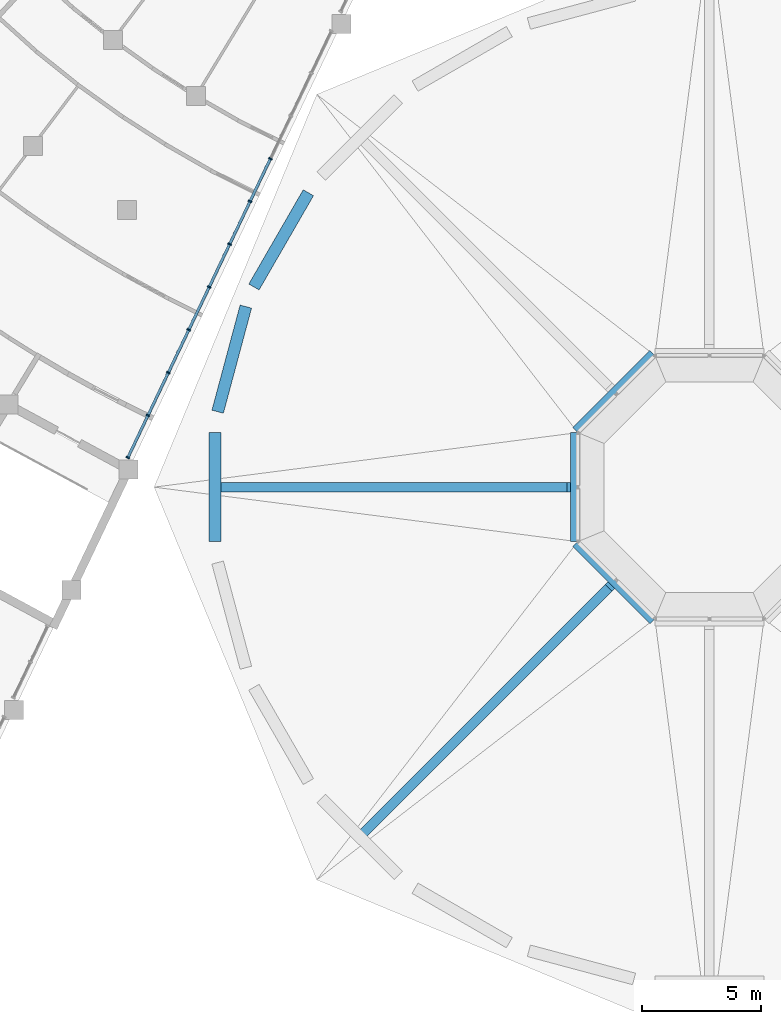
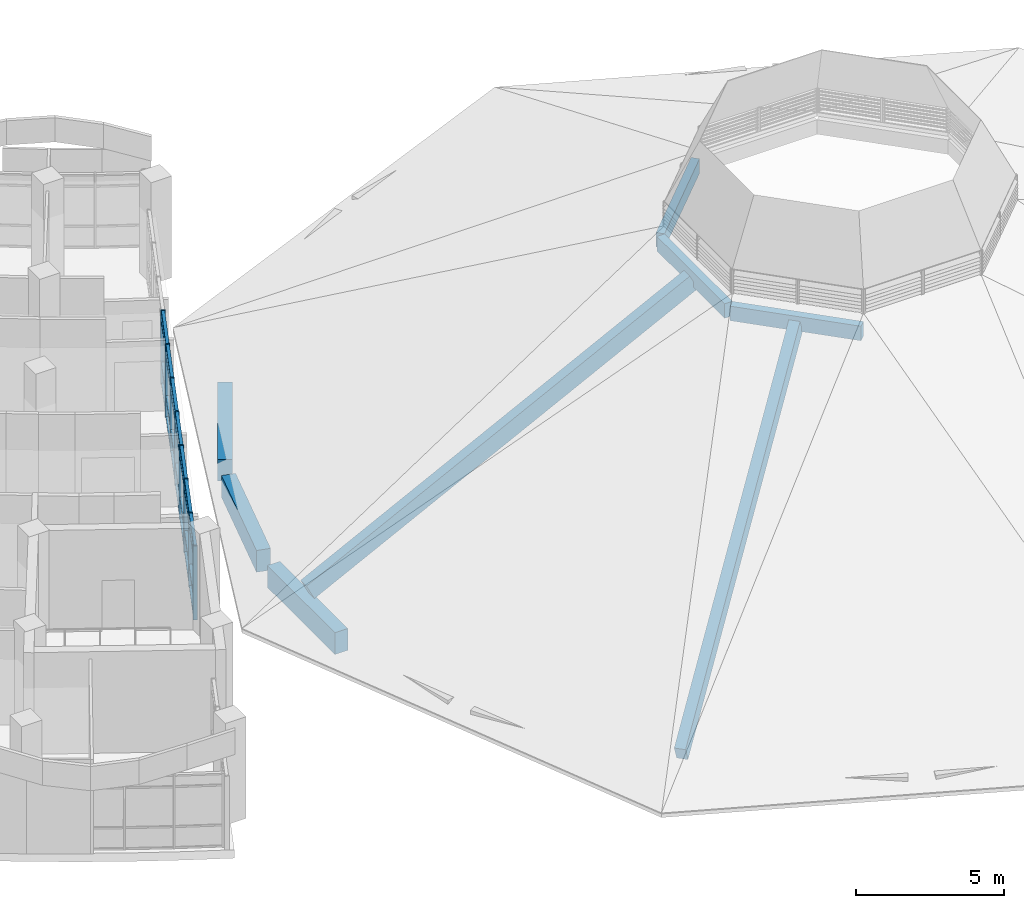
# One storey, part 5 of 137: 41 members, 3 beams, 1 element without a shape of its own.
"""IFC4 building model written with IfcOpenShell, lengths in metres."""

from ifc_helpers import new_model, si_unit, direction, frame, origin, origin_2d, place, context, subcontext, project, spatial, rectangle, extrude, material, material_profile, profile_set, type_object, element, aggregate, save


model = new_model("IFC4")

# Units and contexts
model_context = context("Model", 3, precision=1e-05, world=origin(), true_north=direction((0.0, 1.0)))
body_context = subcontext(model_context, "Body", "Model", "MODEL_VIEW")
ifc_project = project(units=[si_unit("LENGTHUNIT", "METRE"), si_unit("AREAUNIT", "SQUARE_METRE"), si_unit("VOLUMEUNIT", "CUBIC_METRE"), si_unit("PLANEANGLEUNIT", "RADIAN"), si_unit("MASSUNIT", "GRAM", prefix="KILO")], contexts=[model_context])

# Site, building, storey
site_placement = place(None, origin())
site = spatial("IfcSite", under=ifc_project, at=site_placement, CompositionType="ELEMENT")
building_placement = place(site_placement, origin())
building = spatial("IfcBuilding", under=site, at=building_placement, Name="Bougainvillea Quay General Hospital", CompositionType="ELEMENT")
storey_placement = place(building_placement, frame((0.0, 0.0, 16.800048828125)))
storey = spatial("IfcBuildingStorey", under=building, at=storey_placement, Name="L03", CompositionType="ELEMENT", Elevation=16.800048828125)

# Curtain wall, members
ifc_material_1 = material(Name="Aluminium curtain wall system, powder-coated glazed", Category="aluminium")
curtain_wall_type = type_object("IfcCurtainWallType", Name="Unitised curtain wall CW-1997", PredefinedType="NOTDEFINED", material=ifc_material_1)
curtain_wall_placement = place(storey_placement, origin())
curtain_wall = element("IfcCurtainWall", 1, at=curtain_wall_placement, inside=storey, type_object=curtain_wall_type, Name="CW-AE 02", PredefinedType="NOTDEFINED")
ifc_material_2 = material(Name="Aluminium mullion, powder-coated charcoal", Category="aluminium")
ifc_material_profile_1 = material_profile(ifc_material_2, rectangle(XDim=0.159912109375, YDim=0.06005859375, at=origin_2d()))
ifc_profile_set_1 = profile_set([ifc_material_profile_1], Name="Aluminium mullion, powder-coated charcoal")
member_type_1 = type_object("IfcMemberType", Name="Curtain wall mullion 160x60", PredefinedType="MULLION", material=ifc_profile_set_1)
member_1_placement = place(storey_placement, frame((84.715087890625, 75.246826171875, 0.0), z_axis=(0.0, 0.0, 1.0), x_axis=(-0.902578440897, 0.430525444112, 0.0)))
member_1 = element("IfcMember", 2, at=member_1_placement, type_object=member_type_1, Name="CW-AE mullion 1", PredefinedType="MULLION", context=body_context, shape_type="SweptSolid", body=[
    extrude(rectangle(XDim=0.159912109375, YDim=0.06005859375, at=origin_2d()), origin(), (0.0, 0.0, 1.0), 3.050048828125),
])
member_2_placement = place(storey_placement, frame((85.5615234375, 77.021240234375, 0.0), z_axis=(0.0, 0.0, 1.0), x_axis=(-0.902578440897, 0.430525444112, 0.0)))
member_2 = element("IfcMember", 3, at=member_2_placement, type_object=member_type_1, Name="CW-AE mullion 2", PredefinedType="MULLION", context=body_context, shape_type="SweptSolid", body=[
    extrude(rectangle(XDim=0.159912109375, YDim=0.06005859375, at=origin_2d()), origin(), (0.0, 0.0, 1.0), 3.050048828125),
])
member_3_placement = place(storey_placement, frame((86.4208984375, 78.822998046875, 0.0), z_axis=(0.0, 0.0, 1.0), x_axis=(-0.902578440897, 0.430525444112, 0.0)))
member_3 = element("IfcMember", 4, at=member_3_placement, type_object=member_type_1, Name="CW-AE mullion 3", PredefinedType="MULLION", context=body_context, shape_type="SweptSolid", body=[
    extrude(rectangle(XDim=0.159912109375, YDim=0.06005859375, at=origin_2d()), origin(), (0.0, 0.0, 1.0), 3.050048828125),
])
member_4_placement = place(storey_placement, frame((87.280029296875, 80.62451171875, 0.0), z_axis=(0.0, 0.0, 1.0), x_axis=(-0.902578440897, 0.430525444112, 0.0)))
member_4 = element("IfcMember", 5, at=member_4_placement, type_object=member_type_1, Name="CW-AE mullion 4", PredefinedType="MULLION", context=body_context, shape_type="SweptSolid", body=[
    extrude(rectangle(XDim=0.159912109375, YDim=0.06005859375, at=origin_2d()), origin(), (0.0, 0.0, 1.0), 3.050048828125),
])
member_5_placement = place(storey_placement, frame((88.139404296875, 82.426025390625, 0.0), z_axis=(0.0, 0.0, 1.0), x_axis=(-0.902578440897, 0.430525444112, 0.0)))
member_5 = element("IfcMember", 6, at=member_5_placement, type_object=member_type_1, Name="CW-AE mullion 5", PredefinedType="MULLION", context=body_context, shape_type="SweptSolid", body=[
    extrude(rectangle(XDim=0.159912109375, YDim=0.06005859375, at=origin_2d()), origin(), (0.0, 0.0, 1.0), 3.050048828125),
])
member_6_placement = place(storey_placement, frame((88.998779296875, 84.2275390625, 0.0), z_axis=(0.0, 0.0, 1.0), x_axis=(-0.902578440897, 0.430525444112, 0.0)))
member_6 = element("IfcMember", 7, at=member_6_placement, type_object=member_type_1, Name="CW-AE mullion 6", PredefinedType="MULLION", context=body_context, shape_type="SweptSolid", body=[
    extrude(rectangle(XDim=0.159912109375, YDim=0.06005859375, at=origin_2d()), origin(), (0.0, 0.0, 1.0), 3.050048828125),
])
member_7_placement = place(storey_placement, frame((89.858154296875, 86.029296875, 0.0), z_axis=(0.0, 0.0, 1.0), x_axis=(-0.902578440897, 0.430525444112, 0.0)))
member_7 = element("IfcMember", 8, at=member_7_placement, type_object=member_type_1, Name="CW-AE mullion 7", PredefinedType="MULLION", context=body_context, shape_type="SweptSolid", body=[
    extrude(rectangle(XDim=0.159912109375, YDim=0.06005859375, at=origin_2d()), origin(), (0.0, 0.0, 1.0), 3.050048828125),
])
member_8_placement = place(storey_placement, frame((90.717529296875, 87.830810546875, 0.0), z_axis=(0.0, 0.0, 1.0), x_axis=(-0.902578440897, 0.430525444112, 0.0)))
member_8 = element("IfcMember", 9, at=member_8_placement, type_object=member_type_1, Name="CW-AE mullion 8", PredefinedType="MULLION", context=body_context, shape_type="SweptSolid", body=[
    extrude(rectangle(XDim=0.159912109375, YDim=0.06005859375, at=origin_2d()), origin(), (0.0, 0.0, 1.0), 3.050048828125),
])
ifc_material_3 = material(Name="Aluminium transom, powder-coated charcoal", Category="aluminium")
ifc_material_profile_2 = material_profile(ifc_material_3, rectangle(XDim=0.1201171875, YDim=0.06005859375, at=origin_2d()))
ifc_profile_set_2 = profile_set([ifc_material_profile_2], Name="Aluminium transom, powder-coated charcoal")
member_type_2 = type_object("IfcMemberType", Name="Curtain wall transom 120x60", PredefinedType="USERDEFINED", material=ifc_profile_set_2)
member_9_placement = place(storey_placement, frame((84.72802734375, 75.27392578125, 0.030029296875), z_axis=(0.430535139878, 0.902573816001, 0.0), x_axis=(-0.902573816001, 0.430535139878, 0.0)))
member_9 = element("IfcMember", 10, at=member_9_placement, type_object=member_type_2, Name="CW-AE transom 1.1", ObjectType="TRANSOM", PredefinedType="USERDEFINED", context=body_context, shape_type="SweptSolid", body=[
    extrude(rectangle(XDim=0.1201171875, YDim=0.06005859375, at=origin_2d()), origin(), (0.0, 0.0, 1.0), 1.906005859375),
])
member_10_placement = place(storey_placement, frame((84.72802734375, 75.27392578125, 0.89990234375), z_axis=(0.430535139878, 0.902573816001, 0.0), x_axis=(-0.902573816001, 0.430535139878, 0.0)))
member_10 = element("IfcMember", 11, at=member_10_placement, type_object=member_type_2, Name="CW-AE transom 1.2", ObjectType="TRANSOM", PredefinedType="USERDEFINED", context=body_context, shape_type="SweptSolid", body=[
    extrude(rectangle(XDim=0.1201171875, YDim=0.06005859375, at=origin_2d()), origin(), (0.0, 0.0, 1.0), 1.906005859375),
])
member_11_placement = place(storey_placement, frame((84.72802734375, 75.27392578125, 2.550048828125), z_axis=(0.430535139878, 0.902573816001, 0.0), x_axis=(-0.902573816001, 0.430535139878, 0.0)))
member_11 = element("IfcMember", 12, at=member_11_placement, type_object=member_type_2, Name="CW-AE transom 1.3", ObjectType="TRANSOM", PredefinedType="USERDEFINED", context=body_context, shape_type="SweptSolid", body=[
    extrude(rectangle(XDim=0.1201171875, YDim=0.06005859375, at=origin_2d()), origin(), (0.0, 0.0, 1.0), 1.906005859375),
])
member_12_placement = place(storey_placement, frame((84.72802734375, 75.27392578125, 3.02001953125), z_axis=(0.430535139878, 0.902573816001, 0.0), x_axis=(-0.902573816001, 0.430535139878, 0.0)))
member_12 = element("IfcMember", 13, at=member_12_placement, type_object=member_type_2, Name="CW-AE transom 1.4", ObjectType="TRANSOM", PredefinedType="USERDEFINED", context=body_context, shape_type="SweptSolid", body=[
    extrude(rectangle(XDim=0.1201171875, YDim=0.06005859375, at=origin_2d()), origin(), (0.0, 0.0, 1.0), 1.906005859375),
])
member_13_placement = place(storey_placement, frame((85.574462890625, 77.04833984375, 0.030029296875), z_axis=(0.430491490236, 0.902594635944, 0.0), x_axis=(-0.902594635944, 0.430491490236, 0.0)))
member_13 = element("IfcMember", 14, at=member_13_placement, type_object=member_type_2, Name="CW-AE transom 2.1", ObjectType="TRANSOM", PredefinedType="USERDEFINED", context=body_context, shape_type="SweptSolid", body=[
    extrude(rectangle(XDim=0.1201171875, YDim=0.06005859375, at=origin_2d()), origin(), (0.0, 0.0, 1.0), 1.93603515625),
])
member_14_placement = place(storey_placement, frame((85.574462890625, 77.04833984375, 0.89990234375), z_axis=(0.430491490236, 0.902594635944, 0.0), x_axis=(-0.902594635944, 0.430491490236, 0.0)))
member_14 = element("IfcMember", 15, at=member_14_placement, type_object=member_type_2, Name="CW-AE transom 2.2", ObjectType="TRANSOM", PredefinedType="USERDEFINED", context=body_context, shape_type="SweptSolid", body=[
    extrude(rectangle(XDim=0.1201171875, YDim=0.06005859375, at=origin_2d()), origin(), (0.0, 0.0, 1.0), 1.93603515625),
])
member_15_placement = place(storey_placement, frame((85.574462890625, 77.04833984375, 2.550048828125), z_axis=(0.430491490236, 0.902594635944, 0.0), x_axis=(-0.902594635944, 0.430491490236, 0.0)))
member_15 = element("IfcMember", 16, at=member_15_placement, type_object=member_type_2, Name="CW-AE transom 2.3", ObjectType="TRANSOM", PredefinedType="USERDEFINED", context=body_context, shape_type="SweptSolid", body=[
    extrude(rectangle(XDim=0.1201171875, YDim=0.06005859375, at=origin_2d()), origin(), (0.0, 0.0, 1.0), 1.93603515625),
])
member_16_placement = place(storey_placement, frame((85.574462890625, 77.04833984375, 3.02001953125), z_axis=(0.430491490236, 0.902594635944, 0.0), x_axis=(-0.902594635944, 0.430491490236, 0.0)))
member_16 = element("IfcMember", 17, at=member_16_placement, type_object=member_type_2, Name="CW-AE transom 2.4", ObjectType="TRANSOM", PredefinedType="USERDEFINED", context=body_context, shape_type="SweptSolid", body=[
    extrude(rectangle(XDim=0.1201171875, YDim=0.06005859375, at=origin_2d()), origin(), (0.0, 0.0, 1.0), 1.93603515625),
])
member_17_placement = place(storey_placement, frame((86.43359375, 78.85009765625, 0.030029296875), z_axis=(0.43064321639, 0.902522254671, 0.0), x_axis=(-0.902522254671, 0.43064321639, 0.0)))
member_17 = element("IfcMember", 18, at=member_17_placement, type_object=member_type_2, Name="CW-AE transom 3.1", ObjectType="TRANSOM", PredefinedType="USERDEFINED", context=body_context, shape_type="SweptSolid", body=[
    extrude(rectangle(XDim=0.1201171875, YDim=0.06005859375, at=origin_2d()), origin(), (0.0, 0.0, 1.0), 1.93603515625),
])
member_18_placement = place(storey_placement, frame((86.43359375, 78.85009765625, 0.89990234375), z_axis=(0.43064321639, 0.902522254671, 0.0), x_axis=(-0.902522254671, 0.43064321639, 0.0)))
member_18 = element("IfcMember", 19, at=member_18_placement, type_object=member_type_2, Name="CW-AE transom 3.2", ObjectType="TRANSOM", PredefinedType="USERDEFINED", context=body_context, shape_type="SweptSolid", body=[
    extrude(rectangle(XDim=0.1201171875, YDim=0.06005859375, at=origin_2d()), origin(), (0.0, 0.0, 1.0), 1.93603515625),
])
member_19_placement = place(storey_placement, frame((86.43359375, 78.85009765625, 2.550048828125), z_axis=(0.43064321639, 0.902522254671, 0.0), x_axis=(-0.902522254671, 0.43064321639, 0.0)))
member_19 = element("IfcMember", 20, at=member_19_placement, type_object=member_type_2, Name="CW-AE transom 3.3", ObjectType="TRANSOM", PredefinedType="USERDEFINED", context=body_context, shape_type="SweptSolid", body=[
    extrude(rectangle(XDim=0.1201171875, YDim=0.06005859375, at=origin_2d()), origin(), (0.0, 0.0, 1.0), 1.93603515625),
])
member_20_placement = place(storey_placement, frame((86.43359375, 78.85009765625, 3.02001953125), z_axis=(0.43064321639, 0.902522254671, 0.0), x_axis=(-0.902522254671, 0.43064321639, 0.0)))
member_20 = element("IfcMember", 21, at=member_20_placement, type_object=member_type_2, Name="CW-AE transom 3.4", ObjectType="TRANSOM", PredefinedType="USERDEFINED", context=body_context, shape_type="SweptSolid", body=[
    extrude(rectangle(XDim=0.1201171875, YDim=0.06005859375, at=origin_2d()), origin(), (0.0, 0.0, 1.0), 1.93603515625),
])
member_21_placement = place(storey_placement, frame((87.29296875, 80.651611328125, 0.030029296875), z_axis=(0.430540490925, 0.902571263488, 0.0), x_axis=(-0.902571263488, 0.430540490925, 0.0)))
member_21 = element("IfcMember", 22, at=member_21_placement, type_object=member_type_2, Name="CW-AE transom 4.1", ObjectType="TRANSOM", PredefinedType="USERDEFINED", context=body_context, shape_type="SweptSolid", body=[
    extrude(rectangle(XDim=0.1201171875, YDim=0.06005859375, at=origin_2d()), origin(), (0.0, 0.0, 1.0), 1.93603515625),
])
member_22_placement = place(storey_placement, frame((87.29296875, 80.651611328125, 0.89990234375), z_axis=(0.430540490925, 0.902571263488, 0.0), x_axis=(-0.902571263488, 0.430540490925, 0.0)))
member_22 = element("IfcMember", 23, at=member_22_placement, type_object=member_type_2, Name="CW-AE transom 4.2", ObjectType="TRANSOM", PredefinedType="USERDEFINED", context=body_context, shape_type="SweptSolid", body=[
    extrude(rectangle(XDim=0.1201171875, YDim=0.06005859375, at=origin_2d()), origin(), (0.0, 0.0, 1.0), 1.93603515625),
])
member_23_placement = place(storey_placement, frame((87.29296875, 80.651611328125, 2.550048828125), z_axis=(0.430540490925, 0.902571263488, 0.0), x_axis=(-0.902571263488, 0.430540490925, 0.0)))
member_23 = element("IfcMember", 24, at=member_23_placement, type_object=member_type_2, Name="CW-AE transom 4.3", ObjectType="TRANSOM", PredefinedType="USERDEFINED", context=body_context, shape_type="SweptSolid", body=[
    extrude(rectangle(XDim=0.1201171875, YDim=0.06005859375, at=origin_2d()), origin(), (0.0, 0.0, 1.0), 1.93603515625),
])
member_24_placement = place(storey_placement, frame((87.29296875, 80.651611328125, 3.02001953125), z_axis=(0.430540490925, 0.902571263488, 0.0), x_axis=(-0.902571263488, 0.430540490925, 0.0)))
member_24 = element("IfcMember", 25, at=member_24_placement, type_object=member_type_2, Name="CW-AE transom 4.4", ObjectType="TRANSOM", PredefinedType="USERDEFINED", context=body_context, shape_type="SweptSolid", body=[
    extrude(rectangle(XDim=0.1201171875, YDim=0.06005859375, at=origin_2d()), origin(), (0.0, 0.0, 1.0), 1.93603515625),
])
member_25_placement = place(storey_placement, frame((88.15234375, 82.453125, 0.030029296875), z_axis=(0.430491490236, 0.902594635944, 0.0), x_axis=(-0.902594635944, 0.430491490236, 0.0)))
member_25 = element("IfcMember", 26, at=member_25_placement, type_object=member_type_2, Name="CW-AE transom 5.1", ObjectType="TRANSOM", PredefinedType="USERDEFINED", context=body_context, shape_type="SweptSolid", body=[
    extrude(rectangle(XDim=0.1201171875, YDim=0.06005859375, at=origin_2d()), origin(), (0.0, 0.0, 1.0), 1.93603515625),
])
member_26_placement = place(storey_placement, frame((88.15234375, 82.453125, 0.89990234375), z_axis=(0.430491490236, 0.902594635944, 0.0), x_axis=(-0.902594635944, 0.430491490236, 0.0)))
member_26 = element("IfcMember", 27, at=member_26_placement, type_object=member_type_2, Name="CW-AE transom 5.2", ObjectType="TRANSOM", PredefinedType="USERDEFINED", context=body_context, shape_type="SweptSolid", body=[
    extrude(rectangle(XDim=0.1201171875, YDim=0.06005859375, at=origin_2d()), origin(), (0.0, 0.0, 1.0), 1.93603515625),
])
member_27_placement = place(storey_placement, frame((88.15234375, 82.453125, 2.550048828125), z_axis=(0.430491490236, 0.902594635944, 0.0), x_axis=(-0.902594635944, 0.430491490236, 0.0)))
member_27 = element("IfcMember", 28, at=member_27_placement, type_object=member_type_2, Name="CW-AE transom 5.3", ObjectType="TRANSOM", PredefinedType="USERDEFINED", context=body_context, shape_type="SweptSolid", body=[
    extrude(rectangle(XDim=0.1201171875, YDim=0.06005859375, at=origin_2d()), origin(), (0.0, 0.0, 1.0), 1.93603515625),
])
member_28_placement = place(storey_placement, frame((88.15234375, 82.453125, 3.02001953125), z_axis=(0.430491490236, 0.902594635944, 0.0), x_axis=(-0.902594635944, 0.430491490236, 0.0)))
member_28 = element("IfcMember", 29, at=member_28_placement, type_object=member_type_2, Name="CW-AE transom 5.4", ObjectType="TRANSOM", PredefinedType="USERDEFINED", context=body_context, shape_type="SweptSolid", body=[
    extrude(rectangle(XDim=0.1201171875, YDim=0.06005859375, at=origin_2d()), origin(), (0.0, 0.0, 1.0), 1.93603515625),
])
member_29_placement = place(storey_placement, frame((89.01171875, 84.254638671875, 0.030029296875), z_axis=(0.430491490236, 0.902594635944, 0.0), x_axis=(-0.902594635944, 0.430491490236, 0.0)))
member_29 = element("IfcMember", 30, at=member_29_placement, type_object=member_type_2, Name="CW-AE transom 6.1", ObjectType="TRANSOM", PredefinedType="USERDEFINED", context=body_context, shape_type="SweptSolid", body=[
    extrude(rectangle(XDim=0.1201171875, YDim=0.06005859375, at=origin_2d()), origin(), (0.0, 0.0, 1.0), 1.93603515625),
])
member_30_placement = place(storey_placement, frame((89.01171875, 84.254638671875, 0.89990234375), z_axis=(0.430491490236, 0.902594635944, 0.0), x_axis=(-0.902594635944, 0.430491490236, 0.0)))
member_30 = element("IfcMember", 31, at=member_30_placement, type_object=member_type_2, Name="CW-AE transom 6.2", ObjectType="TRANSOM", PredefinedType="USERDEFINED", context=body_context, shape_type="SweptSolid", body=[
    extrude(rectangle(XDim=0.1201171875, YDim=0.06005859375, at=origin_2d()), origin(), (0.0, 0.0, 1.0), 1.93603515625),
])
member_31_placement = place(storey_placement, frame((89.01171875, 84.254638671875, 2.550048828125), z_axis=(0.430491490236, 0.902594635944, 0.0), x_axis=(-0.902594635944, 0.430491490236, 0.0)))
member_31 = element("IfcMember", 32, at=member_31_placement, type_object=member_type_2, Name="CW-AE transom 6.3", ObjectType="TRANSOM", PredefinedType="USERDEFINED", context=body_context, shape_type="SweptSolid", body=[
    extrude(rectangle(XDim=0.1201171875, YDim=0.06005859375, at=origin_2d()), origin(), (0.0, 0.0, 1.0), 1.93603515625),
])
member_32_placement = place(storey_placement, frame((89.01171875, 84.254638671875, 3.02001953125), z_axis=(0.430491490236, 0.902594635944, 0.0), x_axis=(-0.902594635944, 0.430491490236, 0.0)))
member_32 = element("IfcMember", 33, at=member_32_placement, type_object=member_type_2, Name="CW-AE transom 6.4", ObjectType="TRANSOM", PredefinedType="USERDEFINED", context=body_context, shape_type="SweptSolid", body=[
    extrude(rectangle(XDim=0.1201171875, YDim=0.06005859375, at=origin_2d()), origin(), (0.0, 0.0, 1.0), 1.93603515625),
])
member_33_placement = place(storey_placement, frame((89.87109375, 86.056396484375, 0.030029296875), z_axis=(0.430540490925, 0.902571263488, 0.0), x_axis=(-0.902571263488, 0.430540490925, 0.0)))
member_33 = element("IfcMember", 34, at=member_33_placement, type_object=member_type_2, Name="CW-AE transom 7.1", ObjectType="TRANSOM", PredefinedType="USERDEFINED", context=body_context, shape_type="SweptSolid", body=[
    extrude(rectangle(XDim=0.1201171875, YDim=0.06005859375, at=origin_2d()), origin(), (0.0, 0.0, 1.0), 1.93603515625),
])
member_34_placement = place(storey_placement, frame((89.87109375, 86.056396484375, 0.89990234375), z_axis=(0.430540490925, 0.902571263488, 0.0), x_axis=(-0.902571263488, 0.430540490925, 0.0)))
member_34 = element("IfcMember", 35, at=member_34_placement, type_object=member_type_2, Name="CW-AE transom 7.2", ObjectType="TRANSOM", PredefinedType="USERDEFINED", context=body_context, shape_type="SweptSolid", body=[
    extrude(rectangle(XDim=0.1201171875, YDim=0.06005859375, at=origin_2d()), origin(), (0.0, 0.0, 1.0), 1.93603515625),
])
member_35_placement = place(storey_placement, frame((89.87109375, 86.056396484375, 2.550048828125), z_axis=(0.430540490925, 0.902571263488, 0.0), x_axis=(-0.902571263488, 0.430540490925, 0.0)))
member_35 = element("IfcMember", 36, at=member_35_placement, type_object=member_type_2, Name="CW-AE transom 7.3", ObjectType="TRANSOM", PredefinedType="USERDEFINED", context=body_context, shape_type="SweptSolid", body=[
    extrude(rectangle(XDim=0.1201171875, YDim=0.06005859375, at=origin_2d()), origin(), (0.0, 0.0, 1.0), 1.93603515625),
])
member_36_placement = place(storey_placement, frame((89.87109375, 86.056396484375, 3.02001953125), z_axis=(0.430540490925, 0.902571263488, 0.0), x_axis=(-0.902571263488, 0.430540490925, 0.0)))
member_36 = element("IfcMember", 37, at=member_36_placement, type_object=member_type_2, Name="CW-AE transom 7.4", ObjectType="TRANSOM", PredefinedType="USERDEFINED", context=body_context, shape_type="SweptSolid", body=[
    extrude(rectangle(XDim=0.1201171875, YDim=0.06005859375, at=origin_2d()), origin(), (0.0, 0.0, 1.0), 1.93603515625),
])
aggregate(curtain_wall, [member_1, member_2, member_3, member_4, member_5, member_6, member_7, member_8, member_9, member_10, member_11, member_12, member_13, member_14, member_15, member_16, member_17, member_18, member_19, member_20, member_21, member_22, member_23, member_24, member_25, member_26, member_27, member_28, member_29, member_30, member_31, member_32, member_33, member_34, member_35, member_36])

# Members
ifc_material_4 = material(Name="Concrete C40", Category="concrete")
ifc_material_profile_3 = material_profile(ifc_material_4, rectangle(XDim=0.300048828125, YDim=0.60009765625, at=origin_2d()))
ifc_profile_set_3 = profile_set([ifc_material_profile_3], Name="Concrete C40")
member_type_3 = type_object("IfcMemberType", Name="RC BEAM 300x600 C40 MEMBER", PredefinedType="MEMBER", material=ifc_profile_set_3)
for number, where, z_axis, x_axis, name in (
    (38, (106.7978515625, 79.649169921875, 8.361572265625), (-0.707080196726, -0.707133364648, 0.0), (0.707133364648, -0.707080196726, 0.0), "Beam ROOF-V1-LR-03"),
    (39, (103.507080078125, 76.2958984375, 8.361572265625), (0.0, -1.0, 0.0), (1.0, 0.0, 0.0), "Beam ROOF-V1-LR-04"),
    (40, (103.551025390625, 71.597900390625, 8.361572265625), (0.707080196726, -0.707133364648, 0.0), (0.707133364648, 0.707080196726, 0.0), "Beam ROOF-V1-LR-05"),
):
    element("IfcMember", number, at=place(storey_placement, frame(where, z_axis=z_axis, x_axis=x_axis)), inside=storey, type_object=member_type_3, Name=name, PredefinedType="MEMBER", context=body_context, shape_type="SweptSolid", body=[
        extrude(rectangle(XDim=0.300048828125, YDim=0.60009765625, at=origin_2d()), origin(), (0.0, 0.0, 1.0), 4.591796875),
    ])
ifc_material_profile_4 = material_profile(ifc_material_4, rectangle(XDim=0.39990234375, YDim=0.699951171875, at=origin_2d()))
ifc_profile_set_4 = profile_set([ifc_material_profile_4], Name="Concrete C40")
member_type_4 = type_object("IfcMemberType", Name="RC BEAM 400x700 C40 RAFTER", PredefinedType="RAFTER", material=ifc_profile_set_4)
for number, where, z_axis, x_axis, name in (
    (41, (88.3798828125, 74.0, 0.712646484375), (0.892794758576, 0.0, 0.450463671188), (0.0, 1.0, 0.0), "Roof rib"),
    (42, (94.47802734375, 59.278076171875, 0.71240234375), (0.631302824284, 0.63128827579, 0.450479585443), (-0.70709863334, 0.707114928939, 0.0), "Roof rib"),
):
    element("IfcMember", number, at=place(storey_placement, frame(where, z_axis=z_axis, x_axis=x_axis)), inside=storey, type_object=member_type_4, Name=name, PredefinedType="RAFTER", context=body_context, shape_type="SweptSolid", body=[
        extrude(rectangle(XDim=0.39990234375, YDim=0.699951171875, at=origin_2d()), origin(), (0.0, 0.0, 1.0), 16.78125),
    ])

# Beams
ifc_material_profile_5 = material_profile(ifc_material_4, rectangle(XDim=0.5, YDim=0.89990234375, at=origin_2d()))
ifc_profile_set_5 = profile_set([ifc_material_profile_5], Name="Concrete C40")
beam_type = type_object("IfcBeamType", Name="RC BEAM 500x900 C40", PredefinedType="BEAM", material=ifc_profile_set_5)
beam_1_placement = place(storey_placement, frame((92.31494140625, 86.394287109375, -0.0517578125), z_axis=(-0.499966888589, -0.866044519823, 0.0), x_axis=(0.866044519823, -0.499966888589, 0.0)))
element("IfcBeam", 43, at=beam_1_placement, inside=storey, type_object=beam_type, Name="Beam ROOF-V1-ER-10", PredefinedType="BEAM", context=body_context, shape_type="SweptSolid", body=[
    extrude(rectangle(XDim=0.5, YDim=0.89990234375, at=origin_2d()), origin(), (0.0, 0.0, 1.0), 4.582275390625),
])
beam_2_placement = place(storey_placement, frame((89.6826171875, 81.601318359375, -0.0517578125), z_axis=(-0.258863043334, -0.965914035924, 0.0), x_axis=(0.965914035924, -0.258863043334, 0.0)))
element("IfcBeam", 44, at=beam_2_placement, inside=storey, type_object=beam_type, Name="Beam ROOF-V1-ER-11", PredefinedType="BEAM", context=body_context, shape_type="SweptSolid", body=[
    extrude(rectangle(XDim=0.5, YDim=0.89990234375, at=origin_2d()), origin(), (0.0, 0.0, 1.0), 4.581787109375),
])
beam_3_placement = place(storey_placement, frame((88.3798828125, 76.291015625, -0.0517578125), z_axis=(0.0, -1.0, 0.0), x_axis=(1.0, 0.0, 0.0)))
element("IfcBeam", 45, at=beam_3_placement, inside=storey, type_object=beam_type, Name="Beam ROOF-V1-ER-12", PredefinedType="BEAM", context=body_context, shape_type="SweptSolid", body=[
    extrude(rectangle(XDim=0.5, YDim=0.89990234375, at=origin_2d()), origin(), (0.0, 0.0, 1.0), 4.58203125),
])

save(model, "model.ifc")
